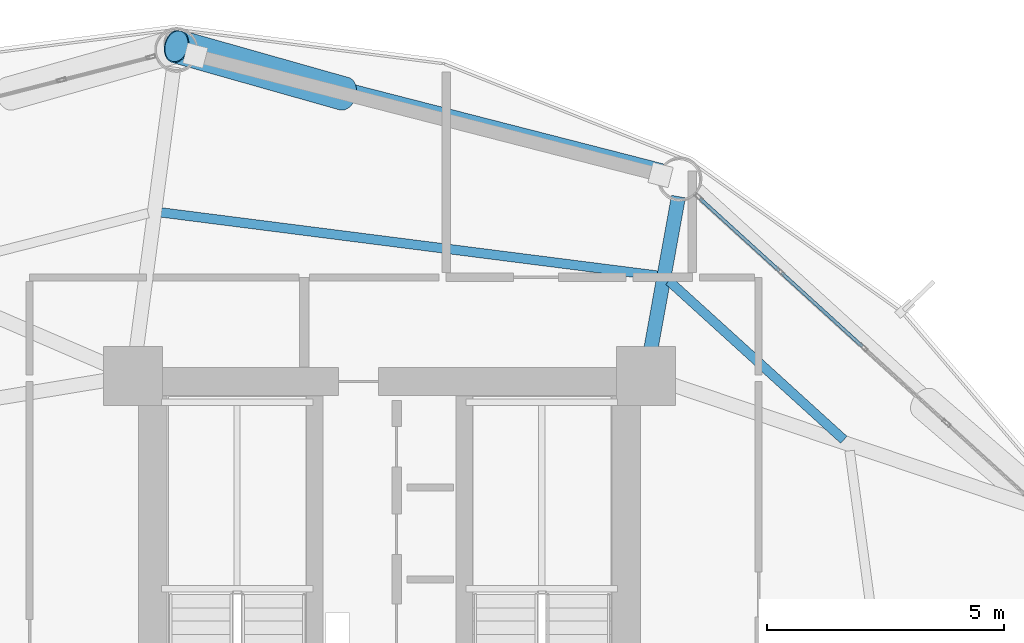
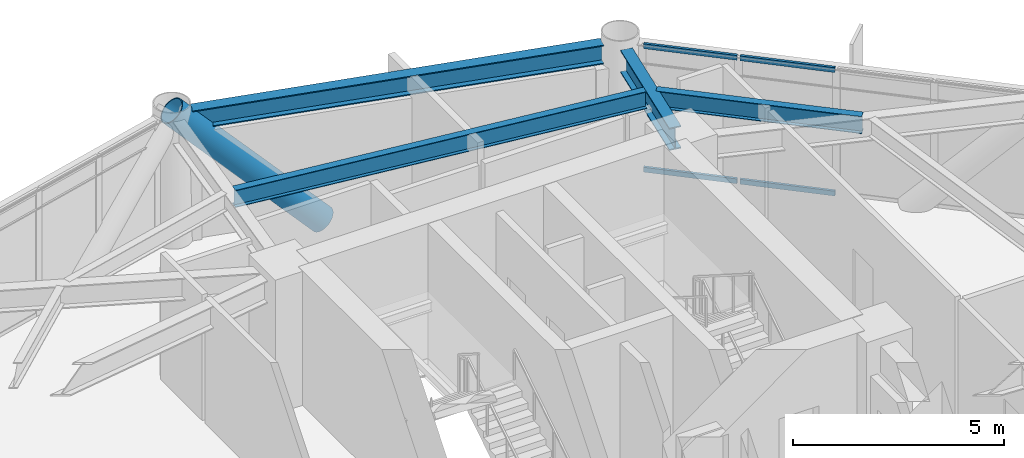
# One storey, part 17 of 25: 5 members, 4 beams, 1 element without a shape of its own.
"""IFC4 building model written with IfcOpenShell, lengths in metres."""

from ifc_helpers import new_model, si_unit, direction, frame, origin, origin_2d, place, context, subcontext, project, spatial, hollow_rectangle, hollow_circle, i_section, extrude, material, layer, layer_set, material_profile, profile_set, type_object, element, aggregate, save


model = new_model("IFC4")

# Units and contexts
model_context = context("Model", 3, precision=1e-05, world=origin(), true_north=direction((0.0, 1.0)))
body_context = subcontext(model_context, "Body", "Model", "MODEL_VIEW")
ifc_project = project(units=[si_unit("LENGTHUNIT", "METRE"), si_unit("AREAUNIT", "SQUARE_METRE"), si_unit("VOLUMEUNIT", "CUBIC_METRE"), si_unit("PLANEANGLEUNIT", "RADIAN"), si_unit("MASSUNIT", "GRAM", prefix="KILO")], contexts=[model_context])

# Site, building, storey
site_placement = place(None, origin())
site = spatial("IfcSite", under=ifc_project, at=site_placement, CompositionType="ELEMENT")
building_placement = place(site_placement, origin())
building = spatial("IfcBuilding", under=site, at=building_placement, Name="Varnakorn Sky Granary", CompositionType="ELEMENT")
storey_placement = place(building_placement, frame((0.0, 0.0, 58.800048828125)))
storey = spatial("IfcBuildingStorey", under=building, at=storey_placement, Name="L14", CompositionType="ELEMENT", Elevation=58.800048828125)

# Beams
ifc_material_1 = material(Name="Steel S355JR", Category="steel")
ifc_material_profile_1 = material_profile(ifc_material_1, i_section(OverallWidth=0.300048828125, OverallDepth=0.64990234375, WebThickness=0.01611328125, FlangeThickness=0.031005859375, at=origin_2d()), Name="HE 650 B")
ifc_profile_set_1 = profile_set([ifc_material_profile_1], Name="Steel S355JR")
beam_type_1 = type_object("IfcBeamType", Name="BM-RAD-Z1", PredefinedType="BEAM", material=ifc_profile_set_1)
beam_1_placement = place(storey_placement, frame((8.494873046875, 13.033203125, 3.31494140625), z_axis=(0.178396782652, 0.983958631213, 0.0), x_axis=(-0.983958631213, 0.178396782652, 0.0)))
element("IfcBeam", 1, at=beam_1_placement, inside=storey, type_object=beam_type_1, Name="Radial Floor Girder RG03 L14", PredefinedType="BEAM", context=body_context, shape_type="SweptSolid", body=[
    extrude(i_section(OverallWidth=0.300048828125, OverallDepth=0.64990234375, WebThickness=0.01611328125, FlangeThickness=0.031005859375, at=origin_2d()), origin(), (0.0, 0.0, 1.0), 3.429443359375),
])
ifc_material_profile_2 = material_profile(ifc_material_1, i_section(OverallWidth=0.199951171875, OverallDepth=0.5, WebThickness=0.01025390625, FlangeThickness=0.01611328125, at=origin_2d()), Name="IPE 500")
ifc_profile_set_2 = profile_set([ifc_material_profile_2], Name="Steel S355JR")
beam_type_2 = type_object("IfcBeamType", Name="BM-SEC-Z1", PredefinedType="BEAM", material=ifc_profile_set_2)
beam_2_placement = place(storey_placement, frame((12.599853515625, 11.26953125, 3.389892578125), z_axis=(-0.740229876396, 0.672353872667, 0.0), x_axis=(-0.672353872667, -0.740229876396, 0.0)))
element("IfcBeam", 2, at=beam_2_placement, inside=storey, type_object=beam_type_2, Name="Secondary Floor Chord Beam MSB02 L14", PredefinedType="BEAM", context=body_context, shape_type="SweptSolid", body=[
    extrude(i_section(OverallWidth=0.199951171875, OverallDepth=0.5, WebThickness=0.01025390625, FlangeThickness=0.01611328125, at=origin_2d()), origin(), (0.0, 0.0, 1.0), 4.992431640625),
])
beam_3_placement = place(storey_placement, frame((8.661865234375, 14.738037109375, 3.389892578125), z_axis=(-0.991990966805, 0.126308834913, 0.0), x_axis=(-0.126308834913, -0.991990966805, 0.0)))
element("IfcBeam", 3, at=beam_3_placement, inside=storey, type_object=beam_type_2, Name="Secondary Floor Chord Beam MSB03 L14", PredefinedType="BEAM", context=body_context, shape_type="SweptSolid", body=[
    extrude(i_section(OverallWidth=0.199951171875, OverallDepth=0.5, WebThickness=0.01025390625, FlangeThickness=0.01611328125, at=origin_2d()), origin(), (0.0, 0.0, 1.0), 10.569091796875),
])
ifc_material_profile_3 = material_profile(ifc_material_1, i_section(OverallWidth=0.300048828125, OverallDepth=0.550048828125, WebThickness=0.014892578125, FlangeThickness=0.029052734375, at=origin_2d()), Name="HE 550 B")
ifc_profile_set_3 = profile_set([ifc_material_profile_3], Name="Steel S355JR")
beam_type_3 = type_object("IfcBeamType", Name="BM-SPD-Z1", PredefinedType="SPANDREL", material=ifc_profile_set_3)
beam_4_placement = place(storey_placement, frame((8.75732421875, 16.952392578125, 3.364990234375), z_axis=(-0.968654217818, 0.24841297531, 0.0), x_axis=(-0.24841297531, -0.968654217818, 0.0)))
element("IfcBeam", 4, at=beam_4_placement, inside=storey, type_object=beam_type_3, Name="Perimeter Spandrel Ring Beam RB03 L14", PredefinedType="SPANDREL", context=body_context, shape_type="SweptSolid", body=[
    extrude(i_section(OverallWidth=0.300048828125, OverallDepth=0.550048828125, WebThickness=0.014892578125, FlangeThickness=0.029052734375, at=origin_2d()), origin(), (0.0, 0.0, 1.0), 10.1474609375),
])

# Curtain wall, members
ifc_material_2 = material(Name="Anodised Bronze Aluminium Alloy 6063-T6", Category="aluminium")
ifc_layer = layer(ifc_material_2, 0.18994140625, Name="Anodised Bronze Aluminium Alloy 6063-T6")
ifc_layer_set = layer_set([ifc_layer], Name="Anodised Bronze Aluminium Alloy 6063-T6")
curtain_wall_type = type_object("IfcCurtainWallType", Name="CW-FRM-1", PredefinedType="USERDEFINED", material=ifc_layer_set)
curtain_wall_placement = place(storey_placement, origin())
curtain_wall = element("IfcCurtainWall", 5, at=curtain_wall_placement, inside=storey, type_object=curtain_wall_type, Name="Unitised Curtain Wall CW3 CW-L14-B02", ObjectType="CURTAIN WALL", PredefinedType="USERDEFINED")
ifc_material_profile_4 = material_profile(ifc_material_2, hollow_rectangle(XDim=0.070068359375, YDim=0.139892578125, WallThickness=0.00341796875, at=origin_2d()), Name="ALU TRAN 70x140")
ifc_profile_set_4 = profile_set([ifc_material_profile_4], Name="Anodised Bronze Aluminium Alloy 6063-T6")
member_type_1 = type_object("IfcMemberType", Name="CW-FRM-1-TRAN", PredefinedType="USERDEFINED", material=ifc_profile_set_4)
member_1_placement = place(storey_placement, frame((9.560546875, 16.36669921875, 0.034912109375), z_axis=(0.739345253663, -0.673326515062, 0.0), x_axis=(0.673326515062, 0.739345253663, 0.0)))
member_1 = element("IfcMember", 6, at=member_1_placement, type_object=member_type_1, Name="CW3 transom 1.1", ObjectType="TRANSOM", PredefinedType="USERDEFINED", context=body_context, shape_type="SweptSolid", body=[
    extrude(hollow_rectangle(XDim=0.070068359375, YDim=0.139892578125, WallThickness=0.00341796875, at=origin_2d()), origin(), (0.0, 0.0, 1.0), 2.266845703125),
])
member_2_placement = place(storey_placement, frame((9.560546875, 16.36669921875, 3.60498046875), z_axis=(0.739345253663, -0.673326515062, 0.0), x_axis=(0.673326515062, 0.739345253663, 0.0)))
member_2 = element("IfcMember", 7, at=member_2_placement, type_object=member_type_1, Name="CW3 transom 1.2", ObjectType="TRANSOM", PredefinedType="USERDEFINED", context=body_context, shape_type="SweptSolid", body=[
    extrude(hollow_rectangle(XDim=0.070068359375, YDim=0.139892578125, WallThickness=0.00341796875, at=origin_2d()), origin(), (0.0, 0.0, 1.0), 2.266845703125),
])
member_3_placement = place(storey_placement, frame((11.288330078125, 14.793212890625, 0.034912109375), z_axis=(0.739320696519, -0.673353479013, 0.0), x_axis=(0.673353479013, 0.739320696519, 0.0)))
member_3 = element("IfcMember", 8, at=member_3_placement, type_object=member_type_1, Name="CW3 transom 2.1", ObjectType="TRANSOM", PredefinedType="USERDEFINED", context=body_context, shape_type="SweptSolid", body=[
    extrude(hollow_rectangle(XDim=0.070068359375, YDim=0.139892578125, WallThickness=0.00341796875, at=origin_2d()), origin(), (0.0, 0.0, 1.0), 2.302001953125),
])
member_4_placement = place(storey_placement, frame((11.288330078125, 14.793212890625, 3.60498046875), z_axis=(0.739320696519, -0.673353479013, 0.0), x_axis=(0.673353479013, 0.739320696519, 0.0)))
member_4 = element("IfcMember", 9, at=member_4_placement, type_object=member_type_1, Name="CW3 transom 2.2", ObjectType="TRANSOM", PredefinedType="USERDEFINED", context=body_context, shape_type="SweptSolid", body=[
    extrude(hollow_rectangle(XDim=0.070068359375, YDim=0.139892578125, WallThickness=0.00341796875, at=origin_2d()), origin(), (0.0, 0.0, 1.0), 2.302001953125),
])
aggregate(curtain_wall, [member_1, member_2, member_3, member_4])

# Member
ifc_material_3 = material(Name="Steel S460M", Category="steel")
ifc_material_profile_5 = material_profile(ifc_material_3, hollow_circle(Radius=0.35546875, WallThickness=0.02490234375, at=origin_2d()), Name="CHS 711x25")
ifc_profile_set_5 = profile_set([ifc_material_profile_5], Name="Steel S460M")
member_type_2 = type_object("IfcMemberType", Name="MB-DIAG-T0", PredefinedType="BRACE", material=ifc_profile_set_5)
member_5_placement = place(storey_placement, frame((2.042236328125, 18.58056640625, -0.130126953125), z_axis=(-0.672242192433, 0.190242362818, 0.715470668933), x_axis=(-0.272302771362, -0.962211619504, 0.0)))
element("IfcMember", 10, at=member_5_placement, inside=storey, type_object=member_type_2, Name="Perimeter CHS Diagrid Brace DG03 L14", PredefinedType="BRACE", context=body_context, shape_type="SweptSolid", body=[
    extrude(hollow_circle(Radius=0.35546875, WallThickness=0.02490234375, at=origin_2d()), origin(), (0.0, 0.0, 1.0), 5.269287109375),
])

save(model, "model.ifc")
